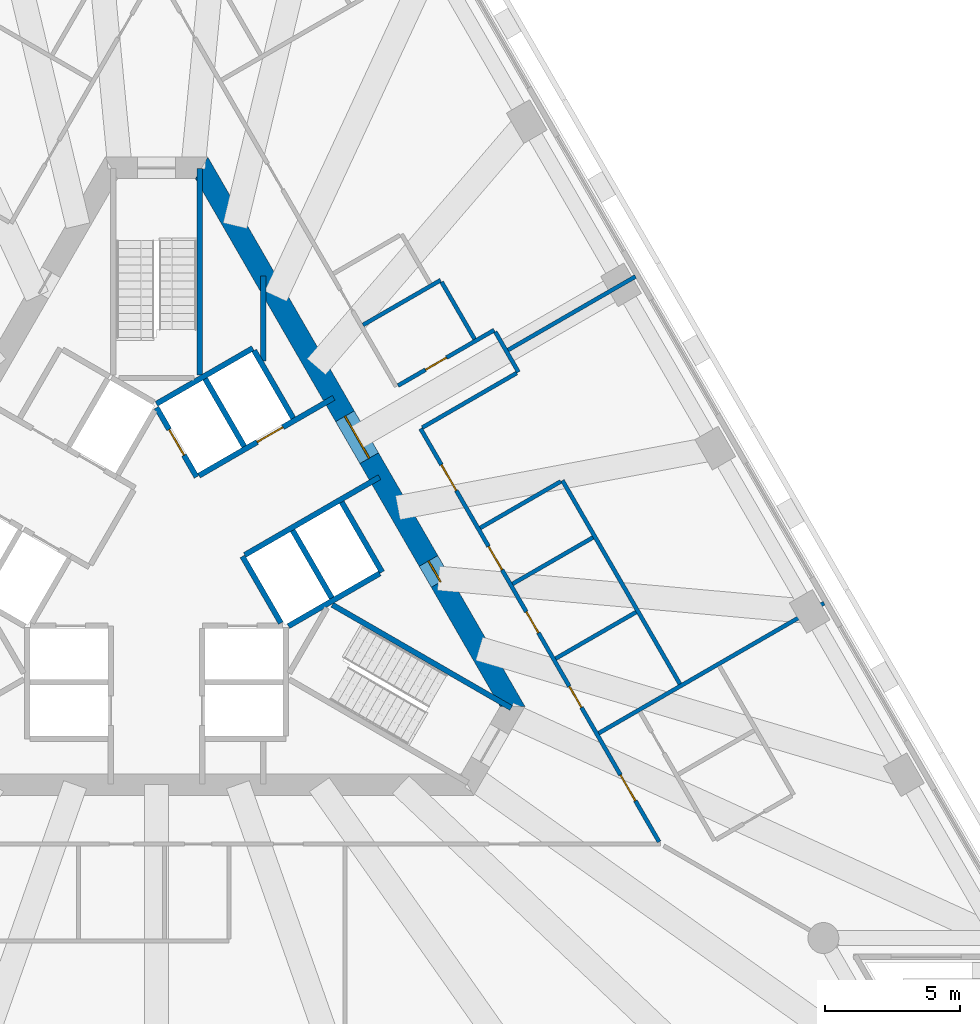
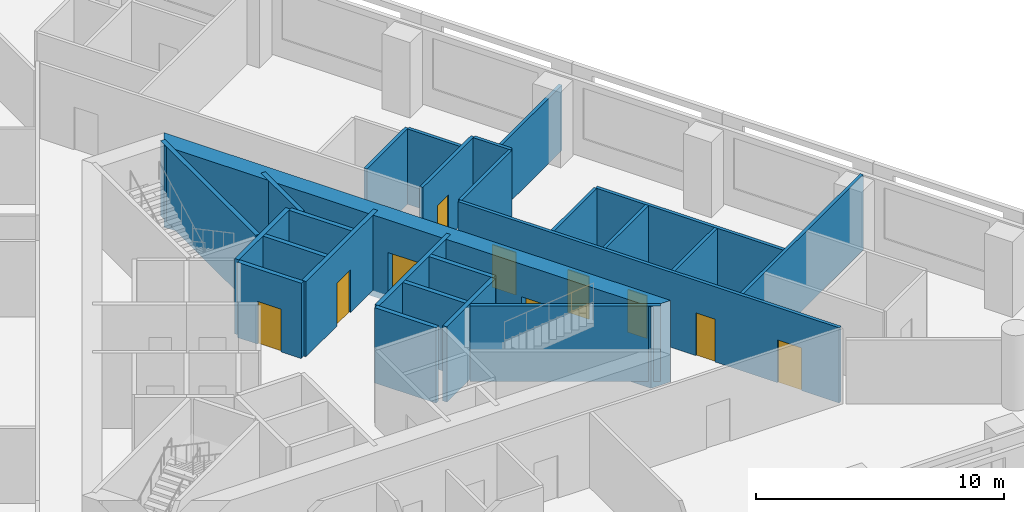
# One storey, part 6 of 10: 26 walls, 10 doors, 10 openings.
"""IFC4 building model written with IfcOpenShell, lengths in metres."""

from ifc_helpers import new_model, si_unit, direction, frame, frame_2d, origin, place, context, subcontext, project, spatial, polyline, rectangle, outline, extrude, material, layer, layer_set, type_object, element, fill, save


model = new_model("IFC4")

# Units and contexts
model_context = context("Model", 3, precision=1e-05, world=origin(), true_north=direction((0.0, 1.0)))
body_context = subcontext(model_context, "Body", "Model", "MODEL_VIEW")
ifc_project = project(units=[si_unit("LENGTHUNIT", "METRE"), si_unit("AREAUNIT", "SQUARE_METRE"), si_unit("VOLUMEUNIT", "CUBIC_METRE"), si_unit("PLANEANGLEUNIT", "RADIAN"), si_unit("MASSUNIT", "GRAM", prefix="KILO")], contexts=[model_context])

# Site, building, storey
site_placement = place(None, origin())
site = spatial("IfcSite", under=ifc_project, at=site_placement, CompositionType="ELEMENT")
building_placement = place(site_placement, origin())
building = spatial("IfcBuilding", under=site, at=building_placement, Name="Triada Interchange Tower", CompositionType="ELEMENT")
storey_placement = place(building_placement, frame((0.0, 0.0, 104.300048828125)))
storey = spatial("IfcBuildingStorey", under=building, at=storey_placement, Name="L23", CompositionType="ELEMENT", Elevation=104.300048828125)

# Wall
ifc_material_1 = material(Name="Concrete C30/37", Category="concrete")
ifc_layer_1 = layer(ifc_material_1, 0.199951171875)
ifc_layer_set_1 = layer_set([ifc_layer_1], Name="CORE WALL 200 EI 120")
wall_type_1 = type_object("IfcWallType", Name="CORE WALL 200 EI 120", PredefinedType="SOLIDWALL", material=ifc_layer_set_1)
wall_1_placement = place(storey_placement, frame((-0.001953125, 5.541015625, 0.0), z_axis=(0.0, 0.0, 1.0), x_axis=(0.86600155993, 0.500041296494, 0.0)))
element("IfcWall", 1, at=wall_1_placement, inside=storey, type_object=wall_type_1, Name="Wall L23 74", PredefinedType="SOLIDWALL", context=body_context, shape_type="SweptSolid", body=[
    extrude(rectangle(XDim=4.131591796875, YDim=0.199951171875, at=frame_2d((2.06591796875, 0.0))), origin(), (0.0, 0.0, 1.0), 3.699951171875),
])

# Wall, opening, door
wall_2_placement = place(storey_placement, frame((0.0, 5.39990234375, 0.0), z_axis=(0.0, 0.0, 1.0), x_axis=(0.500103862429, -0.865965430478, 0.0)))
wall_2 = element("IfcWall", 2, at=wall_2_placement, inside=storey, type_object=wall_type_1, Name="Wall L23 75", PredefinedType="SOLIDWALL", context=body_context, shape_type="SweptSolid", body=[
    extrude(rectangle(XDim=2.973388671875, YDim=0.199951171875, at=frame_2d((1.48681640625, 0.0))), origin(), (0.0, 0.0, 1.0), 3.699951171875),
])
opening_1_placement = place(wall_2_placement, frame((0.93701171875, 0.0, 0.0)))
opening_1 = element("IfcOpeningElement", 3, at=opening_1_placement, cuts=wall_2, Name="Opening LD-LR5", PredefinedType="OPENING", context=body_context, shape_type="SweptSolid", body=[
    extrude(rectangle(XDim=1.10009765625, YDim=2.10009765625, at=frame_2d((0.550048828125, 1.050048828125))), frame((0.0, 0.10986328125, 0.0), z_axis=(0.0, -1.0, 0.0), x_axis=(1.0, 0.0, 0.0)), (0.0, 0.0, 1.0), 0.219970703125),
])
ifc_material_2 = material(Name="Steel S235 door leaf", Category="steel")
door_type_1 = type_object("IfcDoorType", Name="LIFT LANDING DOOR 1100 EI 120", OperationType="SLIDING_TO_LEFT", PredefinedType="DOOR", material=ifc_material_2)
door_1_placement = place(opening_1_placement, origin())
door_1 = element("IfcDoor", 4, at=door_1_placement, inside=storey, type_object=door_type_1, Name="LR5 landing door L23", OperationType="SLIDING_TO_LEFT", OverallHeight=2.10009765625, OverallWidth=1.10009765625, PredefinedType="DOOR", context=body_context, shape_type="SweptSolid", body=[
    extrude(rectangle(XDim=1.10009765625, YDim=2.10009765625, at=frame_2d((0.550048828125, 1.050048828125))), frame((0.0, 0.02490234375, 0.0), z_axis=(0.0, -1.0, 0.0), x_axis=(1.0, 0.0, 0.0)), (0.0, 0.0, 1.0), 0.050048828125),
])
fill(opening_1, door_1)

# Wall
wall_3_placement = place(storey_placement, frame((3.18994140625, -0.125, 0.0), z_axis=(0.0, 0.0, 1.0), x_axis=(0.499988658015, -0.866031951983, 0.0)))
element("IfcWall", 5, at=wall_3_placement, inside=storey, type_object=wall_type_1, Name="Wall L23 76", PredefinedType="SOLIDWALL", context=body_context, shape_type="SweptSolid", body=[
    extrude(rectangle(XDim=2.85791015625, YDim=0.199951171875, at=frame_2d((1.428955078125, 0.0))), origin(), (0.0, 0.0, 1.0), 3.699951171875),
])

# Wall, opening, door
wall_4_placement = place(storey_placement, frame((1.576904296875, 2.8740234375, 0.0), z_axis=(0.0, 0.0, 1.0), x_axis=(0.866073694534, 0.499916348638, 0.0)))
wall_4 = element("IfcWall", 6, at=wall_4_placement, inside=storey, type_object=wall_type_1, Name="Wall L23 77", PredefinedType="SOLIDWALL", context=body_context, shape_type="SweptSolid", body=[
    extrude(rectangle(XDim=5.77685546875, YDim=0.199951171875, at=frame_2d((2.888427734375, 0.0))), origin(), (0.0, 0.0, 1.0), 3.699951171875),
])
opening_2_placement = place(wall_4_placement, frame((2.4970703125, 0.0, 0.0)))
opening_2 = element("IfcOpeningElement", 7, at=opening_2_placement, cuts=wall_4, Name="Opening LD-LR6", PredefinedType="OPENING", context=body_context, shape_type="SweptSolid", body=[
    extrude(rectangle(XDim=1.10009765625, YDim=2.10009765625, at=frame_2d((0.550048828125, 1.050048828125))), frame((0.0, 0.10986328125, 0.0), z_axis=(0.0, -1.0, 0.0), x_axis=(1.0, 0.0, 0.0)), (0.0, 0.0, 1.0), 0.219970703125),
])
door_2_placement = place(opening_2_placement, origin())
door_2 = element("IfcDoor", 8, at=door_2_placement, inside=storey, type_object=door_type_1, Name="LR6 landing door L23", OperationType="SLIDING_TO_LEFT", OverallHeight=2.10009765625, OverallWidth=1.10009765625, PredefinedType="DOOR", context=body_context, shape_type="SweptSolid", body=[
    extrude(rectangle(XDim=1.10009765625, YDim=2.10009765625, at=frame_2d((0.550048828125, 1.050048828125))), frame((0.0, 0.02490234375, 0.0), z_axis=(0.0, -1.0, 0.0), x_axis=(1.0, 0.0, 0.0)), (0.0, 0.0, 1.0), 0.050048828125),
])
fill(opening_2, door_2)

# Walls
wall_5_placement = place(storey_placement, frame((3.278076171875, -0.071044921875, 0.0), z_axis=(0.0, 0.0, 1.0), x_axis=(0.865929348003, 0.5001663366, 0.0)))
element("IfcWall", 9, at=wall_5_placement, inside=storey, type_object=wall_type_1, Name="Wall L23 80", PredefinedType="SOLIDWALL", context=body_context, shape_type="SweptSolid", body=[
    extrude(rectangle(XDim=5.7763671875, YDim=0.199951171875, at=frame_2d((2.88818359375, 0.0))), origin(), (0.0, 0.0, 1.0), 3.699951171875),
])
wall_6_placement = place(storey_placement, frame((3.6259765625, 7.52001953125, 0.0), z_axis=(0.0, 0.0, 1.0), x_axis=(0.500060147554, -0.865990674793, 0.0)))
element("IfcWall", 10, at=wall_6_placement, inside=storey, type_object=wall_type_1, Name="Wall L23 81", PredefinedType="SOLIDWALL", context=body_context, shape_type="SweptSolid", body=[
    extrude(rectangle(XDim=2.899658203125, YDim=0.199951171875, at=frame_2d((1.44970703125, 0.0))), origin(), (0.0, 0.0, 1.0), 3.699951171875),
])
wall_7_placement = place(storey_placement, frame((6.8759765625, 1.89111328125, 0.0), z_axis=(0.0, 0.0, 1.0), x_axis=(0.499990139034, -0.866031096941, 0.0)))
element("IfcWall", 11, at=wall_7_placement, inside=storey, type_object=wall_type_1, Name="Wall L23 82", PredefinedType="SOLIDWALL", context=body_context, shape_type="SweptSolid", body=[
    extrude(rectangle(XDim=3.0, YDim=0.199951171875, at=frame_2d((1.5, 0.0))), origin(), (0.0, 0.0, 1.0), 3.699951171875),
])
for number, where, z_axis, x_axis, name in (
    (12, (1.806884765625, 6.469970703125, 0.0), (0.0, 0.0, 1.0), (0.50012328804, -0.865954211699, 0.0), "Wall L23 83"),
    (13, (5.056884765625, 0.841064453125, 0.0), (0.0, 0.0, 1.0), (0.50012328804, -0.865954211699, 0.0), "Wall L23 84"),
):
    element("IfcWall", number, at=place(storey_placement, frame(where, z_axis=z_axis, x_axis=x_axis)), inside=storey, type_object=wall_type_1, Name=name, PredefinedType="SOLIDWALL", context=body_context, shape_type="SweptSolid", body=[
        extrude(rectangle(XDim=2.899658203125, YDim=0.199951171875, at=frame_2d((1.44970703125, 0.0))), origin(), (0.0, 0.0, 1.0), 3.699951171875),
    ])
wall_8_placement = place(storey_placement, frame((4.89990234375, -2.714111328125, 0.0), z_axis=(0.0, 0.0, 1.0), x_axis=(0.865992350556, 0.500057245502, 0.0)))
element("IfcWall", 14, at=wall_8_placement, inside=storey, type_object=wall_type_1, Name="Wall L23 85", PredefinedType="SOLIDWALL", context=body_context, shape_type="SweptSolid", body=[
    extrude(rectangle(XDim=3.91357421875, YDim=0.199951171875, at=frame_2d((1.956787109375, 0.0))), origin(), (0.0, 0.0, 1.0), 3.699951171875),
])
ifc_layer_2 = layer(ifc_material_1, 0.199951171875)
ifc_layer_set_2 = layer_set([ifc_layer_2], Name="CORE WALL 200 EI 90")
wall_type_2 = type_object("IfcWallType", Name="CORE WALL 200 EI 90", PredefinedType="SOLIDWALL", material=ifc_layer_set_2)
wall_9_placement = place(storey_placement, frame((3.966064453125, 7.1298828125, 0.0), z_axis=(0.0, 0.0, 1.0), x_axis=(0.0, 1.0, 0.0)))
element("IfcWall", 15, at=wall_9_placement, inside=storey, type_object=wall_type_2, Name="Wall L23 102", PredefinedType="SOLIDWALL", context=body_context, shape_type="SweptSolid", body=[
    extrude(rectangle(XDim=3.16015625, YDim=0.199951171875, at=frame_2d((1.580078125, 0.0))), origin(), (0.0, 0.0, 1.0), 3.699951171875),
])
ifc_layer_3 = layer(ifc_material_1, 0.199951171875)
ifc_layer_set_3 = layer_set([ifc_layer_3], Name="CORE WALL 200 REI 240")
wall_type_3 = type_object("IfcWallType", Name="CORE WALL 200 REI 240", PredefinedType="SOLIDWALL", material=ifc_layer_set_3)
wall_10_placement = place(storey_placement, frame((1.60009765625, 6.614990234375, 0.0), z_axis=(0.0, 0.0, 1.0), x_axis=(0.0, 1.0, 0.0)))
element("IfcWall", 16, at=wall_10_placement, inside=storey, type_object=wall_type_3, Name="Wall L23 106", PredefinedType="SOLIDWALL", context=body_context, shape_type="SweptSolid", body=[
    extrude(rectangle(XDim=7.6650390625, YDim=0.199951171875, at=frame_2d((3.83251953125, 0.0))), origin(), (0.0, 0.0, 1.0), 3.699951171875),
])
wall_11_placement = place(storey_placement, frame((6.529052734375, -1.922119140625, 0.0), z_axis=(0.0, 0.0, 1.0), x_axis=(0.866060938598, -0.499938446846, 0.0)))
element("IfcWall", 17, at=wall_11_placement, inside=storey, type_object=wall_type_3, Name="Wall L23 111", PredefinedType="SOLIDWALL", context=body_context, shape_type="SweptSolid", body=[
    extrude(rectangle(XDim=7.66455078125, YDim=0.199951171875, at=frame_2d((3.832275390625, 0.0))), origin(), (0.0, 0.0, 1.0), 3.699951171875),
])

# Wall, openings, doors
ifc_material_3 = material(Name="Concrete C60/75", Category="concrete")
ifc_layer_4 = layer(ifc_material_3, 0.800048828125)
ifc_layer_set_4 = layer_set([ifc_layer_4], Name="Core wall B 800")
wall_type_4 = type_object("IfcWallType", Name="Core wall B 800", PredefinedType="SHEAR", material=ifc_layer_set_4)
wall_12_placement = place(storey_placement, frame((13.220947265625, -5.699951171875, -0.300048828125), z_axis=(0.0, 0.0, 1.0), x_axis=(-0.499995765644, 0.866027848477, 0.0)))
wall_12 = element("IfcWall", 18, at=wall_12_placement, inside=storey, type_object=wall_type_4, Name="Core wall WB06 L23", PredefinedType="SHEAR", context=body_context, shape_type="SweptSolid", body=[
    extrude(outline(polyline([(-0.23095703125, -0.39990234375), (1.73193359375, -0.39990234375), (3.695068359375, -0.39990234375), (5.657958984375, -0.39990234375), (7.62109375, -0.39990234375), (9.583984375, -0.39990234375), (11.546875, -0.39990234375), (13.510009765625, -0.39990234375), (15.472900390625, -0.39990234375), (17.43603515625, -0.39990234375), (19.39892578125, -0.39990234375), (21.362060546875, -0.39990234375), (23.324951171875, -0.39990234375), (22.863037109375, 0.39990234375), (20.97705078125, 0.39990234375), (19.091064453125, 0.39990234375), (17.205078125, 0.39990234375), (15.319091796875, 0.39990234375), (13.43310546875, 0.39990234375), (11.546875, 0.39990234375), (9.660888671875, 0.39990234375), (7.77490234375, 0.39990234375), (5.888916015625, 0.39990234375), (4.0029296875, 0.39990234375), (2.116943359375, 0.39990234375), (0.23095703125, 0.39990234375), (-0.23095703125, -0.39990234375)])), origin(), (0.0, 0.0, 1.0), 4.0),
])
opening_3_placement = place(wall_12_placement, frame((10.64697265625, 0.0, 0.300048828125)))
opening_3 = element("IfcOpeningElement", 19, at=opening_3_placement, cuts=wall_12, Name="Opening D23-42", PredefinedType="OPENING", context=body_context, shape_type="SweptSolid", body=[
    extrude(rectangle(XDim=1.800048828125, YDim=2.10009765625, at=frame_2d((0.89990234375, 1.050048828125))), frame((0.0, 0.409912109375, 0.0), z_axis=(0.0, -1.0, 0.0), x_axis=(1.0, 0.0, 0.0)), (0.0, 0.0, 1.0), 0.820068359375),
])
opening_4_placement = place(wall_12_placement, frame((5.343017578125, 0.0, 0.300048828125)))
opening_4 = element("IfcOpeningElement", 20, at=opening_4_placement, cuts=wall_12, Name="Opening D23-49", PredefinedType="OPENING", context=body_context, shape_type="SweptSolid", body=[
    extrude(rectangle(XDim=0.89990234375, YDim=2.10009765625, at=frame_2d((0.449951171875, 1.050048828125))), frame((0.0, 0.409912109375, 0.0), z_axis=(0.0, -1.0, 0.0), x_axis=(1.0, 0.0, 0.0)), (0.0, 0.0, 1.0), 0.820068359375),
])
door_type_2 = type_object("IfcDoorType", Name="LOBBY DOOR 1800 EI2 90-C5S200", OperationType="DOUBLE_DOOR_SINGLE_SWING", PredefinedType="DOOR", material=ifc_material_2)
door_3_placement = place(opening_3_placement, origin())
door_3 = element("IfcDoor", 21, at=door_3_placement, inside=storey, type_object=door_type_2, Name="Door D23-42 L23", OperationType="DOUBLE_DOOR_SINGLE_SWING", OverallHeight=2.10009765625, OverallWidth=1.800048828125, PredefinedType="DOOR", context=body_context, shape_type="SweptSolid", body=[
    extrude(rectangle(XDim=1.800048828125, YDim=2.10009765625, at=frame_2d((0.89990234375, 1.050048828125))), frame((0.0, 0.02490234375, 0.0), z_axis=(0.0, -1.0, 0.0), x_axis=(1.0, 0.0, 0.0)), (0.0, 0.0, 1.0), 0.050048828125),
])
fill(opening_3, door_3)
door_type_3 = type_object("IfcDoorType", Name="RISER ACCESS DOOR 900 EI2 45-C5S200", OperationType="NOTDEFINED", PredefinedType="DOOR", material=ifc_material_2)
door_4_placement = place(opening_4_placement, origin())
door_4 = element("IfcDoor", 22, at=door_4_placement, inside=storey, type_object=door_type_3, Name="Door D23-49 L23", OperationType="SINGLE_SWING_LEFT", OverallHeight=2.10009765625, OverallWidth=0.89990234375, PredefinedType="DOOR", context=body_context, shape_type="SweptSolid", body=[
    extrude(rectangle(XDim=0.89990234375, YDim=2.10009765625, at=frame_2d((0.449951171875, 1.050048828125))), frame((0.0, 0.02490234375, 0.0), z_axis=(0.0, -1.0, 0.0), x_axis=(1.0, 0.0, 0.0)), (0.0, 0.0, 1.0), 0.050048828125),
])
fill(opening_4, door_4)

# Wall
ifc_material_4 = material(Name="Gypsum board partition")
ifc_layer_5 = layer(ifc_material_4, 0.14990234375)
ifc_layer_set_5 = layer_set([ifc_layer_5], Name="PARTITION 150 EI 180")
wall_type_5 = type_object("IfcWallType", Name="PARTITION 150 EI 180", PredefinedType="PARTITIONING", material=ifc_layer_set_5)
wall_13_placement = place(storey_placement, frame((13.054931640625, 7.537109375, 0.0), z_axis=(0.0, 0.0, 1.0), x_axis=(0.86601735395, 0.500013942463, 0.0)))
element("IfcWall", 23, at=wall_13_placement, inside=storey, type_object=wall_type_5, Name="Wall L23 2", PredefinedType="PARTITIONING", context=body_context, shape_type="SweptSolid", body=[
    extrude(rectangle(XDim=5.461669921875, YDim=0.14990234375, at=frame_2d((2.73095703125, 0.0))), origin(), (0.0, 0.0, 1.0), 3.199951171875),
])

# Wall, openings, doors
wall_14_placement = place(storey_placement, frame((9.803955078125, 4.6201171875, 0.0), z_axis=(0.0, 0.0, 1.0), x_axis=(0.49996419592, -0.866046074293, 0.0)))
wall_14 = element("IfcWall", 24, at=wall_14_placement, inside=storey, type_object=wall_type_5, Name="Wall L23 24", PredefinedType="PARTITIONING", context=body_context, shape_type="SweptSolid", body=[
    extrude(rectangle(XDim=17.717529296875, YDim=0.14990234375, at=frame_2d((8.85888671875, 0.0))), origin(), (0.0, 0.0, 1.0), 3.699951171875),
])
opening_5_placement = place(wall_14_placement, frame((14.85400390625, 0.0, 0.0)))
opening_5 = element("IfcOpeningElement", 25, at=opening_5_placement, cuts=wall_14, Name="Opening D23-21", PredefinedType="OPENING", context=body_context, shape_type="SweptSolid", body=[
    extrude(rectangle(XDim=1.10009765625, YDim=2.10009765625, at=frame_2d((0.550048828125, 1.050048828125))), frame((0.0, 0.0849609375, 0.0), z_axis=(0.0, -1.0, 0.0), x_axis=(1.0, 0.0, 0.0)), (0.0, 0.0, 1.0), 0.169921875),
])
opening_6_placement = place(wall_14_placement, frame((1.552001953125, 0.0, 0.0)))
opening_6 = element("IfcOpeningElement", 26, at=opening_6_placement, cuts=wall_14, Name="Opening D23-24", PredefinedType="OPENING", context=body_context, shape_type="SweptSolid", body=[
    extrude(rectangle(XDim=1.10009765625, YDim=2.10009765625, at=frame_2d((0.550048828125, 1.050048828125))), frame((0.0, 0.0849609375, 0.0), z_axis=(0.0, -1.0, 0.0), x_axis=(1.0, 0.0, 0.0)), (0.0, 0.0, 1.0), 0.169921875),
])
opening_7_placement = place(wall_14_placement, frame((11.052001953125, 0.0, 0.0)))
opening_7 = element("IfcOpeningElement", 27, at=opening_7_placement, cuts=wall_14, Name="Opening D23-25", PredefinedType="OPENING", context=body_context, shape_type="SweptSolid", body=[
    extrude(rectangle(XDim=0.89990234375, YDim=2.10009765625, at=frame_2d((0.449951171875, 1.050048828125))), frame((0.0, 0.0849609375, 0.0), z_axis=(0.0, -1.0, 0.0), x_axis=(1.0, 0.0, 0.0)), (0.0, 0.0, 1.0), 0.169921875),
])
opening_8_placement = place(wall_14_placement, frame((7.85205078125, 0.0, 0.0)))
opening_8 = element("IfcOpeningElement", 28, at=opening_8_placement, cuts=wall_14, Name="Opening D23-26", PredefinedType="OPENING", context=body_context, shape_type="SweptSolid", body=[
    extrude(rectangle(XDim=0.89990234375, YDim=2.10009765625, at=frame_2d((0.449951171875, 1.050048828125))), frame((0.0, 0.0849609375, 0.0), z_axis=(0.0, -1.0, 0.0), x_axis=(1.0, 0.0, 0.0)), (0.0, 0.0, 1.0), 0.169921875),
])
opening_9_placement = place(wall_14_placement, frame((5.052001953125, 0.0, 0.0)))
opening_9 = element("IfcOpeningElement", 29, at=opening_9_placement, cuts=wall_14, Name="Opening D23-27", PredefinedType="OPENING", context=body_context, shape_type="SweptSolid", body=[
    extrude(rectangle(XDim=1.0, YDim=2.10009765625, at=frame_2d((0.5, 1.050048828125))), frame((0.0, 0.0849609375, 0.0), z_axis=(0.0, -1.0, 0.0), x_axis=(1.0, 0.0, 0.0)), (0.0, 0.0, 1.0), 0.169921875),
])
door_type_4 = type_object("IfcDoorType", Name="ROOM DOOR 1000 EI2 90-C5S200", OperationType="NOTDEFINED", PredefinedType="DOOR", material=ifc_material_2)
door_5_placement = place(opening_9_placement, origin())
door_5 = element("IfcDoor", 30, at=door_5_placement, inside=storey, type_object=door_type_4, Name="Door D23-27 L23", OperationType="SINGLE_SWING_LEFT", OverallHeight=2.10009765625, OverallWidth=1.0, PredefinedType="DOOR", context=body_context, shape_type="SweptSolid", body=[
    extrude(rectangle(XDim=1.0, YDim=2.10009765625, at=frame_2d((0.5, 1.050048828125))), frame((0.0, 0.02490234375, 0.0), z_axis=(0.0, -1.0, 0.0), x_axis=(1.0, 0.0, 0.0)), (0.0, 0.0, 1.0), 0.050048828125),
])
fill(opening_9, door_5)
door_type_5 = type_object("IfcDoorType", Name="ROOM DOOR 900 EI2 90-C5S200", OperationType="NOTDEFINED", PredefinedType="DOOR", material=ifc_material_2)
door_6_placement = place(opening_7_placement, origin())
door_6 = element("IfcDoor", 31, at=door_6_placement, inside=storey, type_object=door_type_5, Name="Door D23-25 L23", OperationType="SINGLE_SWING_RIGHT", OverallHeight=2.10009765625, OverallWidth=0.89990234375, PredefinedType="DOOR", context=body_context, shape_type="SweptSolid", body=[
    extrude(rectangle(XDim=0.89990234375, YDim=2.10009765625, at=frame_2d((0.449951171875, 1.050048828125))), frame((0.0, 0.02490234375, 0.0), z_axis=(0.0, -1.0, 0.0), x_axis=(1.0, 0.0, 0.0)), (0.0, 0.0, 1.0), 0.050048828125),
])
fill(opening_7, door_6)
door_7_placement = place(opening_8_placement, origin())
door_7 = element("IfcDoor", 32, at=door_7_placement, inside=storey, type_object=door_type_5, Name="Door D23-26 L23", OperationType="SINGLE_SWING_RIGHT", OverallHeight=2.10009765625, OverallWidth=0.89990234375, PredefinedType="DOOR", context=body_context, shape_type="SweptSolid", body=[
    extrude(rectangle(XDim=0.89990234375, YDim=2.10009765625, at=frame_2d((0.449951171875, 1.050048828125))), frame((0.0, 0.02490234375, 0.0), z_axis=(0.0, -1.0, 0.0), x_axis=(1.0, 0.0, 0.0)), (0.0, 0.0, 1.0), 0.050048828125),
])
fill(opening_8, door_7)
door_type_6 = type_object("IfcDoorType", Name="TENANCY ENTRANCE DOOR 1100 EI2 90-C5S200", OperationType="NOTDEFINED", PredefinedType="DOOR", material=ifc_material_2)
door_8_placement = place(opening_5_placement, origin())
door_8 = element("IfcDoor", 33, at=door_8_placement, inside=storey, type_object=door_type_6, Name="Door D23-21 L23", OperationType="SINGLE_SWING_RIGHT", OverallHeight=2.10009765625, OverallWidth=1.10009765625, PredefinedType="DOOR", context=body_context, shape_type="SweptSolid", body=[
    extrude(rectangle(XDim=1.10009765625, YDim=2.10009765625, at=frame_2d((0.550048828125, 1.050048828125))), frame((0.0, 0.02490234375, 0.0), z_axis=(0.0, -1.0, 0.0), x_axis=(1.0, 0.0, 0.0)), (0.0, 0.0, 1.0), 0.050048828125),
])
fill(opening_5, door_8)
door_9_placement = place(opening_6_placement, origin())
door_9 = element("IfcDoor", 34, at=door_9_placement, inside=storey, type_object=door_type_6, Name="Door D23-24 L23", OperationType="SINGLE_SWING_RIGHT", OverallHeight=2.10009765625, OverallWidth=1.10009765625, PredefinedType="DOOR", context=body_context, shape_type="SweptSolid", body=[
    extrude(rectangle(XDim=1.10009765625, YDim=2.10009765625, at=frame_2d((0.550048828125, 1.050048828125))), frame((0.0, 0.02490234375, 0.0), z_axis=(0.0, -1.0, 0.0), x_axis=(1.0, 0.0, 0.0)), (0.0, 0.0, 1.0), 0.050048828125),
])
fill(opening_6, door_9)

# Wall
wall_15_placement = place(storey_placement, frame((7.66796875, 8.468017578125, 0.0), z_axis=(0.0, 0.0, 1.0), x_axis=(0.865993651241, 0.500054992986, 0.0)))
element("IfcWall", 35, at=wall_15_placement, inside=storey, type_object=wall_type_5, Name="Wall L23 31", PredefinedType="PARTITIONING", context=body_context, shape_type="SweptSolid", body=[
    extrude(rectangle(XDim=3.325927734375, YDim=0.14990234375, at=frame_2d((1.6630859375, 0.0))), origin(), (0.0, 0.0, 1.0), 3.699951171875),
])

# Wall, opening, door
wall_16_placement = place(storey_placement, frame((8.968994140625, 6.217041015625, 0.0), z_axis=(0.0, 0.0, 1.0), x_axis=(0.865997263264, 0.500048737644, 0.0)))
wall_16 = element("IfcWall", 36, at=wall_16_placement, inside=storey, type_object=wall_type_5, Name="Wall L23 32", PredefinedType="PARTITIONING", context=body_context, shape_type="SweptSolid", body=[
    extrude(rectangle(XDim=4.12353515625, YDim=0.14990234375, at=frame_2d((2.061767578125, 0.0))), origin(), (0.0, 0.0, 1.0), 3.699951171875),
])
opening_10_placement = place(wall_16_placement, frame((1.174072265625, 0.0, 0.0)))
opening_10 = element("IfcOpeningElement", 37, at=opening_10_placement, cuts=wall_16, Name="Opening D23-29", PredefinedType="OPENING", context=body_context, shape_type="SweptSolid", body=[
    extrude(rectangle(XDim=0.89990234375, YDim=2.10009765625, at=frame_2d((0.449951171875, 1.050048828125))), frame((0.0, 0.0849609375, 0.0), z_axis=(0.0, -1.0, 0.0), x_axis=(1.0, 0.0, 0.0)), (0.0, 0.0, 1.0), 0.169921875),
])
door_10_placement = place(opening_10_placement, origin())
door_10 = element("IfcDoor", 38, at=door_10_placement, inside=storey, type_object=door_type_5, Name="Door D23-29 L23", OperationType="SINGLE_SWING_RIGHT", OverallHeight=2.10009765625, OverallWidth=0.89990234375, PredefinedType="DOOR", context=body_context, shape_type="SweptSolid", body=[
    extrude(rectangle(XDim=0.89990234375, YDim=2.10009765625, at=frame_2d((0.449951171875, 1.050048828125))), frame((0.0, 0.02490234375, 0.0), z_axis=(0.0, -1.0, 0.0), x_axis=(1.0, 0.0, 0.0)), (0.0, 0.0, 1.0), 0.050048828125),
])
fill(opening_10, door_10)

# Walls
wall_17_placement = place(storey_placement, frame((10.5849609375, 10.06591796875, 0.0), z_axis=(0.0, 0.0, 1.0), x_axis=(0.500018594424, -0.866014668023, 0.0)))
element("IfcWall", 39, at=wall_17_placement, inside=storey, type_object=wall_type_5, Name="Wall L23 33", PredefinedType="PARTITIONING", context=body_context, shape_type="SweptSolid", body=[
    extrude(rectangle(XDim=2.4501953125, YDim=0.14990234375, at=frame_2d((1.22509765625, 0.0))), origin(), (0.0, 0.0, 1.0), 3.699951171875),
])
wall_18_placement = place(storey_placement, frame((12.577880859375, 8.214111328125, 0.0), z_axis=(0.0, 0.0, 1.0), x_axis=(0.499746958151, -0.866171448282, 0.0)))
element("IfcWall", 40, at=wall_18_placement, inside=storey, type_object=wall_type_5, Name="Wall L23 34", PredefinedType="PARTITIONING", context=body_context, shape_type="SweptSolid", body=[
    extrude(rectangle(XDim=1.72509765625, YDim=0.14990234375, at=frame_2d((0.862548828125, 0.0))), origin(), (0.0, 0.0, 1.0), 3.699951171875),
])
wall_19_placement = place(storey_placement, frame((15.072021484375, 2.694091796875, 0.0), z_axis=(0.0, 0.0, 1.0), x_axis=(0.500042162787, -0.86600105972, 0.0)))
element("IfcWall", 41, at=wall_19_placement, inside=storey, type_object=wall_type_5, Name="Wall L23 35", PredefinedType="PARTITIONING", context=body_context, shape_type="SweptSolid", body=[
    extrude(rectangle(XDim=8.725341796875, YDim=0.14990234375, at=frame_2d((4.36279296875, 0.0))), origin(), (0.0, 0.0, 1.0), 3.699951171875),
])
wall_20_placement = place(storey_placement, frame((12.02001953125, 0.930908203125, 0.0), z_axis=(0.0, 0.0, 1.0), x_axis=(0.866031223622, 0.49998991961, 0.0)))
element("IfcWall", 42, at=wall_20_placement, inside=storey, type_object=wall_type_5, Name="Wall L23 36", PredefinedType="PARTITIONING", context=body_context, shape_type="SweptSolid", body=[
    extrude(rectangle(XDim=3.4501953125, YDim=0.14990234375, at=frame_2d((1.72509765625, 0.0))), origin(), (0.0, 0.0, 1.0), 3.699951171875),
])
wall_21_placement = place(storey_placement, frame((9.868896484375, 4.657958984375, 0.0), z_axis=(0.0, 0.0, 1.0), x_axis=(0.865929493314, 0.500166085025, 0.0)))
element("IfcWall", 43, at=wall_21_placement, inside=storey, type_object=wall_type_5, Name="Wall L23 37", PredefinedType="PARTITIONING", context=body_context, shape_type="SweptSolid", body=[
    extrude(rectangle(XDim=4.048828125, YDim=0.14990234375, at=frame_2d((2.0244140625, 0.0))), origin(), (0.0, 0.0, 1.0), 3.699951171875),
])
for number, where, z_axis, x_axis, name in (
    (44, (13.219970703125, -1.14697265625, 0.0), (0.0, 0.0, 1.0), (0.866061862632, 0.499936846106, 0.0), "Wall L23 38"),
    (45, (14.820068359375, -3.9189453125, 0.0), (0.0, 0.0, 1.0), (0.866061862632, 0.499936846106, 0.0), "Wall L23 39"),
):
    element("IfcWall", number, at=place(storey_placement, frame(where, z_axis=z_axis, x_axis=x_axis)), inside=storey, type_object=wall_type_5, Name=name, PredefinedType="PARTITIONING", context=body_context, shape_type="SweptSolid", body=[
        extrude(rectangle(XDim=3.4501953125, YDim=0.14990234375, at=frame_2d((1.72509765625, 0.0))), origin(), (0.0, 0.0, 1.0), 3.699951171875),
    ])
wall_22_placement = place(storey_placement, frame((16.419921875, -6.68994140625, 0.0), z_axis=(0.0, 0.0, 1.0), x_axis=(0.866013897511, 0.50001992892, 0.0)))
element("IfcWall", 46, at=wall_22_placement, inside=storey, type_object=wall_type_5, Name="Wall L23 40", PredefinedType="PARTITIONING", context=body_context, shape_type="SweptSolid", body=[
    extrude(rectangle(XDim=9.66162109375, YDim=0.14990234375, at=frame_2d((4.830810546875, 0.0))), origin(), (0.0, 0.0, 1.0), 3.699951171875),
])

save(model, "model.ifc")
